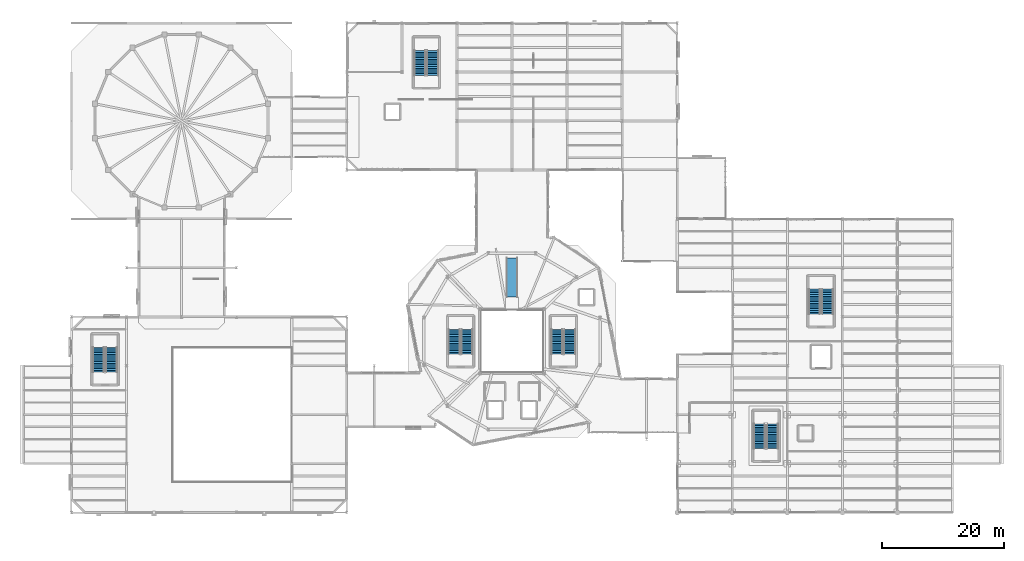
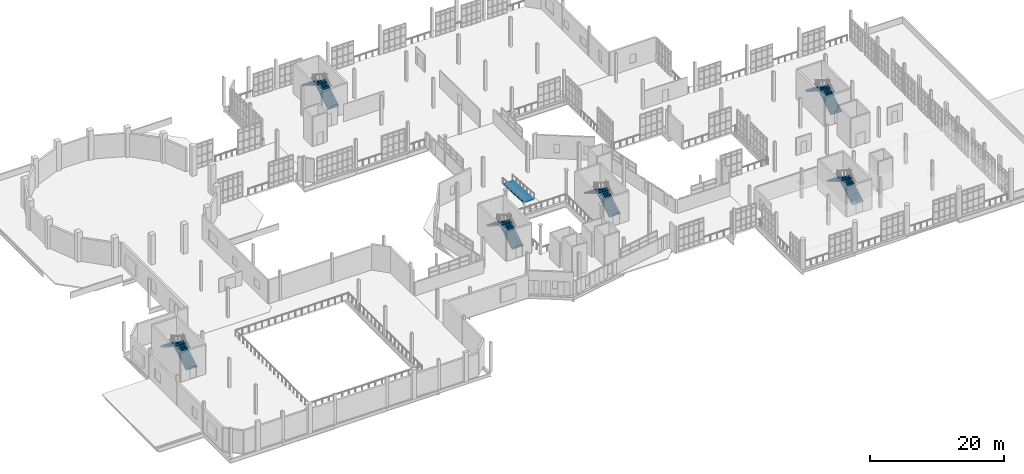
# One storey, part 128 of 142: 12 stair flights, 1 ramp flight, 7 elements without a shape of their own.
"""IFC4 building model written with IfcOpenShell, lengths in metres."""

from ifc_helpers import new_model, si_unit, direction, frame, origin, place, context, subcontext, project, spatial, polyline, outline, extrude, material, layer, layer_set, type_object, element, aggregate, save


model = new_model("IFC4")

# Units and contexts
model_context = context("Model", 3, precision=1e-05, world=origin(), true_north=direction((0.0, 1.0)))
body_context = subcontext(model_context, "Body", "Model", "MODEL_VIEW")
ifc_project = project(units=[si_unit("LENGTHUNIT", "METRE"), si_unit("AREAUNIT", "SQUARE_METRE"), si_unit("VOLUMEUNIT", "CUBIC_METRE"), si_unit("PLANEANGLEUNIT", "RADIAN"), si_unit("MASSUNIT", "GRAM", prefix="KILO"), si_unit("THERMODYNAMICTEMPERATUREUNIT", "KELVIN"), si_unit("POWERUNIT", "WATT")], contexts=[model_context])

# Site, building, storey
site_placement = place(None, origin())
site = spatial("IfcSite", under=ifc_project, at=site_placement, CompositionType="ELEMENT")
building_placement = place(site_placement, origin())
building = spatial("IfcBuilding", under=site, at=building_placement, Name="Zelmaris Science Centre", CompositionType="ELEMENT")
storey_placement = place(building_placement, frame((0.0, 0.0, 5.39990234375)))
storey = spatial("IfcBuildingStorey", under=building, at=storey_placement, Name="L01", CompositionType="ELEMENT", Elevation=5.39990234375)

# Stair, stair flights
ifc_material = material(Name="Concrete C40/50", Category="concrete")
stair_type = type_object("IfcStairType", Name="Exit Stair ST-A W1900", PredefinedType="HALF_TURN_STAIR", material=ifc_material)
stair_1_placement = place(storey_placement, origin())
stair_1 = element("IfcStair", 1, at=stair_1_placement, inside=storey, type_object=stair_type, Name="L01 Exit Stair Core ST-1", PredefinedType="HALF_TURN_STAIR")
stair_flight_type = type_object("IfcStairFlightType", Name="Stair Flight ST-AF W1900", PredefinedType="STRAIGHT", material=ifc_material)
stair_flight_1_placement = place(storey_placement, frame((73.64990234375, 33.89990234375, 0.0), z_axis=(0.0, 0.0, 1.0), x_axis=(0.0, 1.0, 0.0)))
stair_flight_1 = element("IfcStairFlight", 2, at=stair_flight_1_placement, type_object=stair_flight_type, Name="ST-1 flight 1", NumberOfRisers=15, NumberOfTreads=14, PredefinedType="STRAIGHT", RiserHeight=0.18, TreadLength=0.29, context=body_context, shape_type="SweptSolid", body=[
    extrude(outline(polyline([(0.0, 0.0), (0.0, 0.179931640625), (0.2900390625, 0.179931640625), (0.2900390625, 0.360107421875), (0.580078125, 0.360107421875), (0.580078125, 0.5400390625), (0.8701171875, 0.5400390625), (0.8701171875, 0.719970703125), (1.159912109375, 0.719970703125), (1.159912109375, 0.89990234375), (1.449951171875, 0.89990234375), (1.449951171875, 1.080078125), (1.739990234375, 1.080078125), (1.739990234375, 1.260009765625), (2.030029296875, 1.260009765625), (2.030029296875, 1.43994140625), (2.320068359375, 1.43994140625), (2.320068359375, 1.6201171875), (2.610107421875, 1.6201171875), (2.610107421875, 1.800048828125), (2.89990234375, 1.800048828125), (2.89990234375, 1.97998046875), (3.18994140625, 1.97998046875), (3.18994140625, 2.159912109375), (3.47998046875, 2.159912109375), (3.47998046875, 2.340087890625), (3.77001953125, 2.340087890625), (3.77001953125, 2.52001953125), (4.06005859375, 2.52001953125), (4.06005859375, 2.699951171875), (4.06005859375, 2.343505859375), (0.2841796875, 0.0), (0.0, 0.0)])), frame((0.0, 0.949951171875, 0.0), z_axis=(0.0, -1.0, 0.0), x_axis=(1.0, 0.0, 0.0)), (0.0, 0.0, 1.0), 1.89990234375),
])
stair_flight_2_placement = place(storey_placement, frame((71.550048828125, 37.9599609375, 2.7001953125), z_axis=(0.0, 0.0, 1.0), x_axis=(0.0, -1.0, 0.0)))
stair_flight_2 = element("IfcStairFlight", 3, at=stair_flight_2_placement, type_object=stair_flight_type, Name="ST-1 flight 2", NumberOfRisers=15, NumberOfTreads=14, PredefinedType="STRAIGHT", RiserHeight=0.18, TreadLength=0.29, context=body_context, shape_type="SweptSolid", body=[
    extrude(outline(polyline([(0.0, 0.0), (0.0, 0.179931640625), (0.2900390625, 0.179931640625), (0.2900390625, 0.360107421875), (0.580078125, 0.360107421875), (0.580078125, 0.5400390625), (0.8701171875, 0.5400390625), (0.8701171875, 0.719970703125), (1.159912109375, 0.719970703125), (1.159912109375, 0.89990234375), (1.449951171875, 0.89990234375), (1.449951171875, 1.080078125), (1.739990234375, 1.080078125), (1.739990234375, 1.260009765625), (2.030029296875, 1.260009765625), (2.030029296875, 1.43994140625), (2.320068359375, 1.43994140625), (2.320068359375, 1.6201171875), (2.610107421875, 1.6201171875), (2.610107421875, 1.800048828125), (2.89990234375, 1.800048828125), (2.89990234375, 1.97998046875), (3.18994140625, 1.97998046875), (3.18994140625, 2.159912109375), (3.47998046875, 2.159912109375), (3.47998046875, 2.340087890625), (3.77001953125, 2.340087890625), (3.77001953125, 2.52001953125), (4.06005859375, 2.52001953125), (4.06005859375, 2.699951171875), (4.06005859375, 2.343505859375), (0.2841796875, 0.0), (0.0, 0.0)])), frame((0.0, 0.949951171875, 0.0), z_axis=(0.0, -1.0, 0.0), x_axis=(1.0, 0.0, 0.0)), (0.0, 0.0, 1.0), 1.89990234375),
])
aggregate(stair_1, [stair_flight_1, stair_flight_2])

stair_2_placement = place(storey_placement, origin())
stair_2 = element("IfcStair", 4, at=stair_2_placement, inside=storey, type_object=stair_type, Name="L01 Exit Stair Core ST-2", PredefinedType="HALF_TURN_STAIR")
stair_flight_3_placement = place(storey_placement, frame((90.449951171875, 33.89990234375, 0.0), z_axis=(0.0, 0.0, 1.0), x_axis=(0.0, 1.0, 0.0)))
stair_flight_3 = element("IfcStairFlight", 5, at=stair_flight_3_placement, type_object=stair_flight_type, Name="ST-2 flight 1", NumberOfRisers=15, NumberOfTreads=14, PredefinedType="STRAIGHT", RiserHeight=0.18, TreadLength=0.29, context=body_context, shape_type="SweptSolid", body=[
    extrude(outline(polyline([(0.0, 0.0), (0.0, 0.179931640625), (0.2900390625, 0.179931640625), (0.2900390625, 0.360107421875), (0.580078125, 0.360107421875), (0.580078125, 0.5400390625), (0.8701171875, 0.5400390625), (0.8701171875, 0.719970703125), (1.159912109375, 0.719970703125), (1.159912109375, 0.89990234375), (1.449951171875, 0.89990234375), (1.449951171875, 1.080078125), (1.739990234375, 1.080078125), (1.739990234375, 1.260009765625), (2.030029296875, 1.260009765625), (2.030029296875, 1.43994140625), (2.320068359375, 1.43994140625), (2.320068359375, 1.6201171875), (2.610107421875, 1.6201171875), (2.610107421875, 1.800048828125), (2.89990234375, 1.800048828125), (2.89990234375, 1.97998046875), (3.18994140625, 1.97998046875), (3.18994140625, 2.159912109375), (3.47998046875, 2.159912109375), (3.47998046875, 2.340087890625), (3.77001953125, 2.340087890625), (3.77001953125, 2.52001953125), (4.06005859375, 2.52001953125), (4.06005859375, 2.699951171875), (4.06005859375, 2.343505859375), (0.2841796875, 0.0), (0.0, 0.0)])), frame((0.0, 0.949951171875, 0.0), z_axis=(0.0, -1.0, 0.0), x_axis=(1.0, 0.0, 0.0)), (0.0, 0.0, 1.0), 1.89990234375),
])
stair_flight_4_placement = place(storey_placement, frame((88.35009765625, 37.9599609375, 2.7001953125), z_axis=(0.0, 0.0, 1.0), x_axis=(0.0, -1.0, 0.0)))
stair_flight_4 = element("IfcStairFlight", 6, at=stair_flight_4_placement, type_object=stair_flight_type, Name="ST-2 flight 2", NumberOfRisers=15, NumberOfTreads=14, PredefinedType="STRAIGHT", RiserHeight=0.18, TreadLength=0.29, context=body_context, shape_type="SweptSolid", body=[
    extrude(outline(polyline([(0.0, 0.0), (0.0, 0.179931640625), (0.2900390625, 0.179931640625), (0.2900390625, 0.360107421875), (0.580078125, 0.360107421875), (0.580078125, 0.5400390625), (0.8701171875, 0.5400390625), (0.8701171875, 0.719970703125), (1.159912109375, 0.719970703125), (1.159912109375, 0.89990234375), (1.449951171875, 0.89990234375), (1.449951171875, 1.080078125), (1.739990234375, 1.080078125), (1.739990234375, 1.260009765625), (2.030029296875, 1.260009765625), (2.030029296875, 1.43994140625), (2.320068359375, 1.43994140625), (2.320068359375, 1.6201171875), (2.610107421875, 1.6201171875), (2.610107421875, 1.800048828125), (2.89990234375, 1.800048828125), (2.89990234375, 1.97998046875), (3.18994140625, 1.97998046875), (3.18994140625, 2.159912109375), (3.47998046875, 2.159912109375), (3.47998046875, 2.340087890625), (3.77001953125, 2.340087890625), (3.77001953125, 2.52001953125), (4.06005859375, 2.52001953125), (4.06005859375, 2.699951171875), (4.06005859375, 2.343505859375), (0.2841796875, 0.0), (0.0, 0.0)])), frame((0.0, 0.949951171875, 0.0), z_axis=(0.0, -1.0, 0.0), x_axis=(1.0, 0.0, 0.0)), (0.0, 0.0, 1.0), 1.89990234375),
])
aggregate(stair_2, [stair_flight_3, stair_flight_4])

stair_3_placement = place(storey_placement, origin())
stair_3 = element("IfcStair", 7, at=stair_3_placement, inside=storey, type_object=stair_type, Name="L01 Exit Stair Core ST-3", PredefinedType="HALF_TURN_STAIR")
stair_flight_5_placement = place(storey_placement, frame((68.050048828125, 79.449951171875, 0.0), z_axis=(0.0, 0.0, 1.0), x_axis=(0.0, 1.0, 0.0)))
stair_flight_5 = element("IfcStairFlight", 8, at=stair_flight_5_placement, type_object=stair_flight_type, Name="ST-3 flight 1", NumberOfRisers=15, NumberOfTreads=14, PredefinedType="STRAIGHT", RiserHeight=0.18, TreadLength=0.29, context=body_context, shape_type="SweptSolid", body=[
    extrude(outline(polyline([(0.0, 0.0), (0.0, 0.179931640625), (0.2900390625, 0.179931640625), (0.2900390625, 0.360107421875), (0.580078125, 0.360107421875), (0.580078125, 0.5400390625), (0.8701171875, 0.5400390625), (0.8701171875, 0.719970703125), (1.159912109375, 0.719970703125), (1.159912109375, 0.89990234375), (1.449951171875, 0.89990234375), (1.449951171875, 1.080078125), (1.739990234375, 1.080078125), (1.739990234375, 1.260009765625), (2.030029296875, 1.260009765625), (2.030029296875, 1.43994140625), (2.320068359375, 1.43994140625), (2.320068359375, 1.6201171875), (2.610107421875, 1.6201171875), (2.610107421875, 1.800048828125), (2.89990234375, 1.800048828125), (2.89990234375, 1.97998046875), (3.18994140625, 1.97998046875), (3.18994140625, 2.159912109375), (3.47998046875, 2.159912109375), (3.47998046875, 2.340087890625), (3.77001953125, 2.340087890625), (3.77001953125, 2.52001953125), (4.06005859375, 2.52001953125), (4.06005859375, 2.699951171875), (4.06005859375, 2.343505859375), (0.2841796875, 0.0), (0.0, 0.0)])), frame((0.0, 0.949951171875, 0.0), z_axis=(0.0, -1.0, 0.0), x_axis=(1.0, 0.0, 0.0)), (0.0, 0.0, 1.0), 1.89990234375),
])
stair_flight_6_placement = place(storey_placement, frame((65.949951171875, 83.510009765625, 2.7001953125), z_axis=(0.0, 0.0, 1.0), x_axis=(0.0, -1.0, 0.0)))
stair_flight_6 = element("IfcStairFlight", 9, at=stair_flight_6_placement, type_object=stair_flight_type, Name="ST-3 flight 2", NumberOfRisers=15, NumberOfTreads=14, PredefinedType="STRAIGHT", RiserHeight=0.18, TreadLength=0.29, context=body_context, shape_type="SweptSolid", body=[
    extrude(outline(polyline([(0.0, 0.0), (0.0, 0.179931640625), (0.2900390625, 0.179931640625), (0.2900390625, 0.360107421875), (0.580078125, 0.360107421875), (0.580078125, 0.5400390625), (0.8701171875, 0.5400390625), (0.8701171875, 0.719970703125), (1.159912109375, 0.719970703125), (1.159912109375, 0.89990234375), (1.449951171875, 0.89990234375), (1.449951171875, 1.080078125), (1.739990234375, 1.080078125), (1.739990234375, 1.260009765625), (2.030029296875, 1.260009765625), (2.030029296875, 1.43994140625), (2.320068359375, 1.43994140625), (2.320068359375, 1.6201171875), (2.610107421875, 1.6201171875), (2.610107421875, 1.800048828125), (2.89990234375, 1.800048828125), (2.89990234375, 1.97998046875), (3.18994140625, 1.97998046875), (3.18994140625, 2.159912109375), (3.47998046875, 2.159912109375), (3.47998046875, 2.340087890625), (3.77001953125, 2.340087890625), (3.77001953125, 2.52001953125), (4.06005859375, 2.52001953125), (4.06005859375, 2.699951171875), (4.06005859375, 2.343505859375), (0.2841796875, 0.0), (0.0, 0.0)])), frame((0.0, 0.949951171875, 0.0), z_axis=(0.0, -1.0, 0.0), x_axis=(1.0, 0.0, 0.0)), (0.0, 0.0, 1.0), 1.89990234375),
])
aggregate(stair_3, [stair_flight_5, stair_flight_6])

stair_4_placement = place(storey_placement, origin())
stair_4 = element("IfcStair", 10, at=stair_4_placement, inside=storey, type_object=stair_type, Name="L01 Exit Stair Core ST-4", PredefinedType="HALF_TURN_STAIR")
stair_flight_7_placement = place(storey_placement, frame((123.550048828125, 18.449951171875, 0.0), z_axis=(0.0, 0.0, 1.0), x_axis=(0.0, 1.0, 0.0)))
stair_flight_7 = element("IfcStairFlight", 11, at=stair_flight_7_placement, type_object=stair_flight_type, Name="ST-4 flight 1", NumberOfRisers=15, NumberOfTreads=14, PredefinedType="STRAIGHT", RiserHeight=0.18, TreadLength=0.29, context=body_context, shape_type="SweptSolid", body=[
    extrude(outline(polyline([(0.0, 0.0), (0.0, 0.179931640625), (0.2900390625, 0.179931640625), (0.2900390625, 0.360107421875), (0.580078125, 0.360107421875), (0.580078125, 0.5400390625), (0.8701171875, 0.5400390625), (0.8701171875, 0.719970703125), (1.159912109375, 0.719970703125), (1.159912109375, 0.89990234375), (1.449951171875, 0.89990234375), (1.449951171875, 1.080078125), (1.739990234375, 1.080078125), (1.739990234375, 1.260009765625), (2.030029296875, 1.260009765625), (2.030029296875, 1.43994140625), (2.320068359375, 1.43994140625), (2.320068359375, 1.6201171875), (2.610107421875, 1.6201171875), (2.610107421875, 1.800048828125), (2.89990234375, 1.800048828125), (2.89990234375, 1.97998046875), (3.18994140625, 1.97998046875), (3.18994140625, 2.159912109375), (3.47998046875, 2.159912109375), (3.47998046875, 2.340087890625), (3.77001953125, 2.340087890625), (3.77001953125, 2.52001953125), (4.06005859375, 2.52001953125), (4.06005859375, 2.699951171875), (4.06005859375, 2.343505859375), (0.2841796875, 0.0), (0.0, 0.0)])), frame((0.0, 0.949951171875, 0.0), z_axis=(0.0, -1.0, 0.0), x_axis=(1.0, 0.0, 0.0)), (0.0, 0.0, 1.0), 1.89990234375),
])
stair_flight_8_placement = place(storey_placement, frame((121.449951171875, 22.510009765625, 2.7001953125), z_axis=(0.0, 0.0, 1.0), x_axis=(0.0, -1.0, 0.0)))
stair_flight_8 = element("IfcStairFlight", 12, at=stair_flight_8_placement, type_object=stair_flight_type, Name="ST-4 flight 2", NumberOfRisers=15, NumberOfTreads=14, PredefinedType="STRAIGHT", RiserHeight=0.18, TreadLength=0.29, context=body_context, shape_type="SweptSolid", body=[
    extrude(outline(polyline([(0.0, 0.0), (0.0, 0.179931640625), (0.2900390625, 0.179931640625), (0.2900390625, 0.360107421875), (0.580078125, 0.360107421875), (0.580078125, 0.5400390625), (0.8701171875, 0.5400390625), (0.8701171875, 0.719970703125), (1.159912109375, 0.719970703125), (1.159912109375, 0.89990234375), (1.449951171875, 0.89990234375), (1.449951171875, 1.080078125), (1.739990234375, 1.080078125), (1.739990234375, 1.260009765625), (2.030029296875, 1.260009765625), (2.030029296875, 1.43994140625), (2.320068359375, 1.43994140625), (2.320068359375, 1.6201171875), (2.610107421875, 1.6201171875), (2.610107421875, 1.800048828125), (2.89990234375, 1.800048828125), (2.89990234375, 1.97998046875), (3.18994140625, 1.97998046875), (3.18994140625, 2.159912109375), (3.47998046875, 2.159912109375), (3.47998046875, 2.340087890625), (3.77001953125, 2.340087890625), (3.77001953125, 2.52001953125), (4.06005859375, 2.52001953125), (4.06005859375, 2.699951171875), (4.06005859375, 2.343505859375), (0.2841796875, 0.0), (0.0, 0.0)])), frame((0.0, 0.949951171875, 0.0), z_axis=(0.0, -1.0, 0.0), x_axis=(1.0, 0.0, 0.0)), (0.0, 0.0, 1.0), 1.89990234375),
])
aggregate(stair_4, [stair_flight_7, stair_flight_8])

stair_5_placement = place(storey_placement, origin())
stair_5 = element("IfcStair", 13, at=stair_5_placement, inside=storey, type_object=stair_type, Name="L01 Exit Stair Core ST-5", PredefinedType="HALF_TURN_STAIR")
stair_flight_9_placement = place(storey_placement, frame((132.550048828125, 40.449951171875, 0.0), z_axis=(0.0, 0.0, 1.0), x_axis=(0.0, 1.0, 0.0)))
stair_flight_9 = element("IfcStairFlight", 14, at=stair_flight_9_placement, type_object=stair_flight_type, Name="ST-5 flight 1", NumberOfRisers=15, NumberOfTreads=14, PredefinedType="STRAIGHT", RiserHeight=0.18, TreadLength=0.29, context=body_context, shape_type="SweptSolid", body=[
    extrude(outline(polyline([(0.0, 0.0), (0.0, 0.179931640625), (0.2900390625, 0.179931640625), (0.2900390625, 0.360107421875), (0.580078125, 0.360107421875), (0.580078125, 0.5400390625), (0.8701171875, 0.5400390625), (0.8701171875, 0.719970703125), (1.159912109375, 0.719970703125), (1.159912109375, 0.89990234375), (1.449951171875, 0.89990234375), (1.449951171875, 1.080078125), (1.739990234375, 1.080078125), (1.739990234375, 1.260009765625), (2.030029296875, 1.260009765625), (2.030029296875, 1.43994140625), (2.320068359375, 1.43994140625), (2.320068359375, 1.6201171875), (2.610107421875, 1.6201171875), (2.610107421875, 1.800048828125), (2.89990234375, 1.800048828125), (2.89990234375, 1.97998046875), (3.18994140625, 1.97998046875), (3.18994140625, 2.159912109375), (3.47998046875, 2.159912109375), (3.47998046875, 2.340087890625), (3.77001953125, 2.340087890625), (3.77001953125, 2.52001953125), (4.06005859375, 2.52001953125), (4.06005859375, 2.699951171875), (4.06005859375, 2.343505859375), (0.2841796875, 0.0), (0.0, 0.0)])), frame((0.0, 0.949951171875, 0.0), z_axis=(0.0, -1.0, 0.0), x_axis=(1.0, 0.0, 0.0)), (0.0, 0.0, 1.0), 1.89990234375),
])
stair_flight_10_placement = place(storey_placement, frame((130.449951171875, 44.510009765625, 2.7001953125), z_axis=(0.0, 0.0, 1.0), x_axis=(0.0, -1.0, 0.0)))
stair_flight_10 = element("IfcStairFlight", 15, at=stair_flight_10_placement, type_object=stair_flight_type, Name="ST-5 flight 2", NumberOfRisers=15, NumberOfTreads=14, PredefinedType="STRAIGHT", RiserHeight=0.18, TreadLength=0.29, context=body_context, shape_type="SweptSolid", body=[
    extrude(outline(polyline([(0.0, 0.0), (0.0, 0.179931640625), (0.2900390625, 0.179931640625), (0.2900390625, 0.360107421875), (0.580078125, 0.360107421875), (0.580078125, 0.5400390625), (0.8701171875, 0.5400390625), (0.8701171875, 0.719970703125), (1.159912109375, 0.719970703125), (1.159912109375, 0.89990234375), (1.449951171875, 0.89990234375), (1.449951171875, 1.080078125), (1.739990234375, 1.080078125), (1.739990234375, 1.260009765625), (2.030029296875, 1.260009765625), (2.030029296875, 1.43994140625), (2.320068359375, 1.43994140625), (2.320068359375, 1.6201171875), (2.610107421875, 1.6201171875), (2.610107421875, 1.800048828125), (2.89990234375, 1.800048828125), (2.89990234375, 1.97998046875), (3.18994140625, 1.97998046875), (3.18994140625, 2.159912109375), (3.47998046875, 2.159912109375), (3.47998046875, 2.340087890625), (3.77001953125, 2.340087890625), (3.77001953125, 2.52001953125), (4.06005859375, 2.52001953125), (4.06005859375, 2.699951171875), (4.06005859375, 2.343505859375), (0.2841796875, 0.0), (0.0, 0.0)])), frame((0.0, 0.949951171875, 0.0), z_axis=(0.0, -1.0, 0.0), x_axis=(1.0, 0.0, 0.0)), (0.0, 0.0, 1.0), 1.89990234375),
])
aggregate(stair_5, [stair_flight_9, stair_flight_10])

stair_6_placement = place(storey_placement, origin())
stair_6 = element("IfcStair", 16, at=stair_6_placement, inside=storey, type_object=stair_type, Name="L01 Exit Stair Core ST-6", PredefinedType="HALF_TURN_STAIR")
stair_flight_11_placement = place(storey_placement, frame((15.550048828125, 30.949951171875, 0.0), z_axis=(0.0, 0.0, 1.0), x_axis=(0.0, 1.0, 0.0)))
stair_flight_11 = element("IfcStairFlight", 17, at=stair_flight_11_placement, type_object=stair_flight_type, Name="ST-6 flight 1", NumberOfRisers=15, NumberOfTreads=14, PredefinedType="STRAIGHT", RiserHeight=0.18, TreadLength=0.29, context=body_context, shape_type="SweptSolid", body=[
    extrude(outline(polyline([(0.0, 0.0), (0.0, 0.179931640625), (0.2900390625, 0.179931640625), (0.2900390625, 0.360107421875), (0.580078125, 0.360107421875), (0.580078125, 0.5400390625), (0.8701171875, 0.5400390625), (0.8701171875, 0.719970703125), (1.159912109375, 0.719970703125), (1.159912109375, 0.89990234375), (1.449951171875, 0.89990234375), (1.449951171875, 1.080078125), (1.739990234375, 1.080078125), (1.739990234375, 1.260009765625), (2.030029296875, 1.260009765625), (2.030029296875, 1.43994140625), (2.320068359375, 1.43994140625), (2.320068359375, 1.6201171875), (2.610107421875, 1.6201171875), (2.610107421875, 1.800048828125), (2.89990234375, 1.800048828125), (2.89990234375, 1.97998046875), (3.18994140625, 1.97998046875), (3.18994140625, 2.159912109375), (3.47998046875, 2.159912109375), (3.47998046875, 2.340087890625), (3.77001953125, 2.340087890625), (3.77001953125, 2.52001953125), (4.06005859375, 2.52001953125), (4.06005859375, 2.699951171875), (4.06005859375, 2.343505859375), (0.2841796875, 0.0), (0.0, 0.0)])), frame((0.0, 0.949951171875, 0.0), z_axis=(0.0, -1.0, 0.0), x_axis=(1.0, 0.0, 0.0)), (0.0, 0.0, 1.0), 1.89990234375),
])
stair_flight_12_placement = place(storey_placement, frame((13.449951171875, 35.010009765625, 2.7001953125), z_axis=(0.0, 0.0, 1.0), x_axis=(0.0, -1.0, 0.0)))
stair_flight_12 = element("IfcStairFlight", 18, at=stair_flight_12_placement, type_object=stair_flight_type, Name="ST-6 flight 2", NumberOfRisers=15, NumberOfTreads=14, PredefinedType="STRAIGHT", RiserHeight=0.18, TreadLength=0.29, context=body_context, shape_type="SweptSolid", body=[
    extrude(outline(polyline([(0.0, 0.0), (0.0, 0.179931640625), (0.2900390625, 0.179931640625), (0.2900390625, 0.360107421875), (0.580078125, 0.360107421875), (0.580078125, 0.5400390625), (0.8701171875, 0.5400390625), (0.8701171875, 0.719970703125), (1.159912109375, 0.719970703125), (1.159912109375, 0.89990234375), (1.449951171875, 0.89990234375), (1.449951171875, 1.080078125), (1.739990234375, 1.080078125), (1.739990234375, 1.260009765625), (2.030029296875, 1.260009765625), (2.030029296875, 1.43994140625), (2.320068359375, 1.43994140625), (2.320068359375, 1.6201171875), (2.610107421875, 1.6201171875), (2.610107421875, 1.800048828125), (2.89990234375, 1.800048828125), (2.89990234375, 1.97998046875), (3.18994140625, 1.97998046875), (3.18994140625, 2.159912109375), (3.47998046875, 2.159912109375), (3.47998046875, 2.340087890625), (3.77001953125, 2.340087890625), (3.77001953125, 2.52001953125), (4.06005859375, 2.52001953125), (4.06005859375, 2.699951171875), (4.06005859375, 2.343505859375), (0.2841796875, 0.0), (0.0, 0.0)])), frame((0.0, 0.949951171875, 0.0), z_axis=(0.0, -1.0, 0.0), x_axis=(1.0, 0.0, 0.0)), (0.0, 0.0, 1.0), 1.89990234375),
])
aggregate(stair_6, [stair_flight_11, stair_flight_12])

# Ramp, ramp flight
ramp_type = type_object("IfcRampType", Name="Accessible Ramp RMP-01 W1800", PredefinedType="STRAIGHT_RUN_RAMP", material=ifc_material)
ramp_placement = place(storey_placement, origin())
ramp = element("IfcRamp", 19, at=ramp_placement, inside=storey, type_object=ramp_type, Name="L01 Atrium overlook ramp", PredefinedType="STRAIGHT_RUN_RAMP")
ifc_layer = layer(ifc_material, 0.219970703125, Name="Concrete C40/50")
ifc_layer_set = layer_set([ifc_layer], Name="Concrete C40/50")
ramp_flight_type = type_object("IfcRampFlightType", Name="Ramp Flight RMF-01 W1800", PredefinedType="STRAIGHT", material=ifc_layer_set)
ramp_flight_placement = place(storey_placement, frame((81.0, 49.60009765625, 0.0), z_axis=(0.0, 0.0, 1.0), x_axis=(0.0, -1.0, 0.0)))
ramp_flight = element("IfcRampFlight", 20, at=ramp_flight_placement, type_object=ramp_flight_type, Name="L01 Atrium overlook ramp flight", PredefinedType="STRAIGHT", context=body_context, shape_type="SweptSolid", body=[
    extrude(outline(polyline([(0.0, 0.0), (6.39990234375, 0.419921875), (6.39990234375, 0.199951171875), (0.0, -0.219970703125), (0.0, 0.0)])), frame((0.0, 0.89990234375, 0.0), z_axis=(0.0, -1.0, 0.0), x_axis=(1.0, 0.0, 0.0)), (0.0, 0.0, 1.0), 1.800048828125),
])
aggregate(ramp, [ramp_flight])

save(model, "model.ifc")
